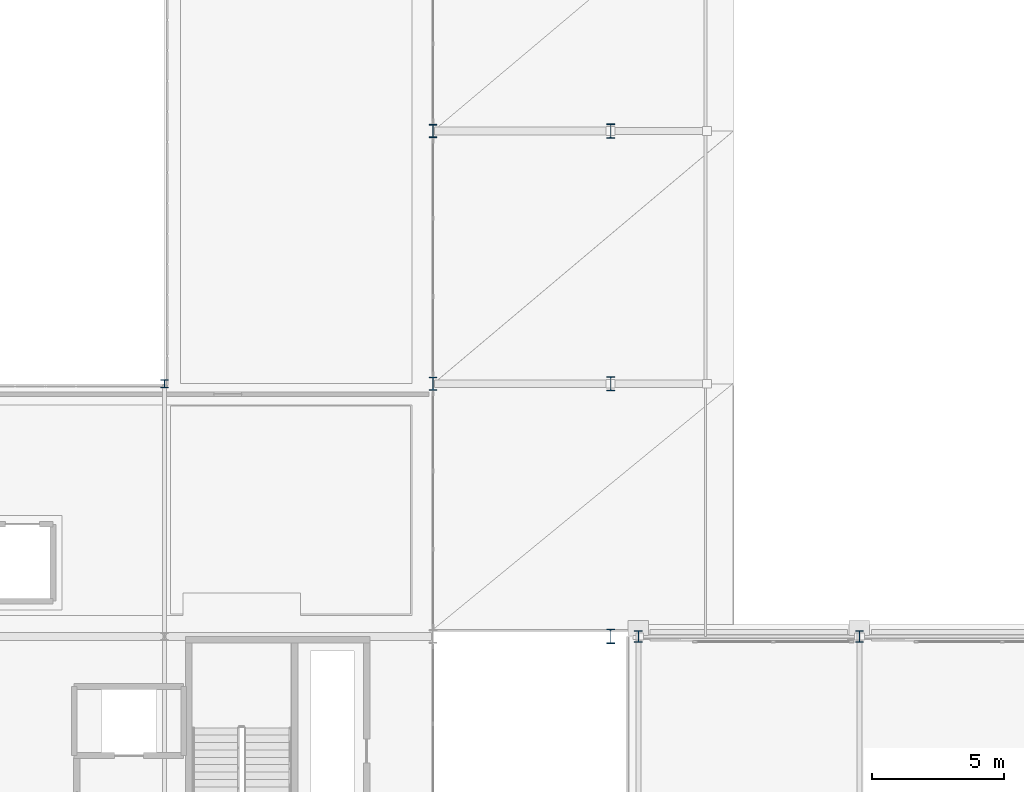
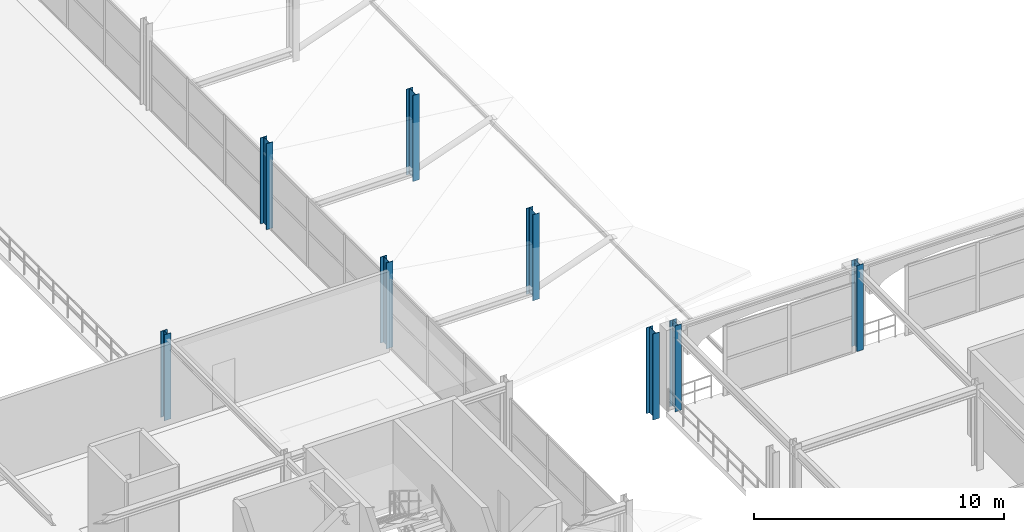
# One storey, part 4 of 81: 8 columns.
"""IFC4 building model written with IfcOpenShell, lengths in metres."""

from ifc_helpers import new_model, si_unit, direction, frame, origin, origin_2d, place, context, subcontext, project, spatial, i_section, extrude, material, material_profile, profile_set, type_object, element, save


model = new_model("IFC4")

# Units and contexts
model_context = context("Model", 3, precision=1e-05, world=origin(), true_north=direction((0.0, 1.0)))
body_context = subcontext(model_context, "Body", "Model", "MODEL_VIEW")
ifc_project = project(units=[si_unit("LENGTHUNIT", "METRE"), si_unit("AREAUNIT", "SQUARE_METRE"), si_unit("VOLUMEUNIT", "CUBIC_METRE"), si_unit("PLANEANGLEUNIT", "RADIAN"), si_unit("MASSUNIT", "GRAM", prefix="KILO")], contexts=[model_context])

# Site, building, storey
site_placement = place(None, origin())
site = spatial("IfcSite", under=ifc_project, at=site_placement, CompositionType="ELEMENT")
building_placement = place(site_placement, origin())
building = spatial("IfcBuilding", under=site, at=building_placement, Name="Myrtia Square Station", CompositionType="ELEMENT")
storey_placement = place(building_placement, frame((0.0, 0.0, 10.800048828125)))
storey = spatial("IfcBuildingStorey", under=building, at=storey_placement, Name="L02", CompositionType="ELEMENT", Elevation=10.800048828125)

# Columns
ifc_material = material(Name="Steel S355", Category="steel")
ifc_material_profile_1 = material_profile(ifc_material, i_section(OverallWidth=0.300048828125, OverallDepth=0.43994140625, WebThickness=0.011474609375, FlangeThickness=0.02099609375, FilletRadius=0.027099609375, at=origin_2d()), Name="HEA 450")
ifc_profile_set_1 = profile_set([ifc_material_profile_1], Name="Steel S355")
column_type_1 = type_object("IfcColumnType", Name="COL-HEA450", PredefinedType="COLUMN", material=ifc_profile_set_1)
for number, where, z_axis, x_axis, name in (
    (1, (117.60009765625, 38.39990234375, 0.0), (0.0, 0.0, 1.0), (1.0, 0.0, 0.0), "Column L02-0582"),
    (2, (126.0, 38.39990234375, 0.0), (0.0, 0.0, 1.0), (1.0, 0.0, 0.0), "Column L02-0607"),
):
    element("IfcColumn", number, at=place(storey_placement, frame(where, z_axis=z_axis, x_axis=x_axis)), inside=storey, type_object=column_type_1, Name=name, PredefinedType="COLUMN", context=body_context, shape_type="SweptSolid", body=[
        extrude(i_section(OverallWidth=0.300048828125, OverallDepth=0.43994140625, WebThickness=0.011474609375, FlangeThickness=0.02099609375, FilletRadius=0.027099609375, at=origin_2d()), origin(), (0.0, 0.0, 1.0), 4.199951171875),
    ])
ifc_material_profile_2 = material_profile(ifc_material, i_section(OverallWidth=0.300048828125, OverallDepth=0.5400390625, WebThickness=0.012451171875, FlangeThickness=0.02392578125, FilletRadius=0.027099609375, at=origin_2d()), Name="HEA 550")
ifc_profile_set_2 = profile_set([ifc_material_profile_2], Name="Steel S355")
column_type_2 = type_object("IfcColumnType", Name="COL-HEA550", PredefinedType="COLUMN", material=ifc_profile_set_2)
for number, where, z_axis, x_axis, name in (
    (3, (116.550048828125, 38.39990234375, 0.0), (0.0, 0.0, 1.0), (1.0, 0.0, 0.0), "Column L02-0271"),
    (4, (116.550048828125, 48.0, 0.0), (0.0, 0.0, 1.0), (1.0, 0.0, 0.0), "Column L02-0293"),
    (5, (116.550048828125, 57.60009765625, 0.0), (0.0, 0.0, 1.0), (1.0, 0.0, 0.0), "Column L02-0315"),
):
    element("IfcColumn", number, at=place(storey_placement, frame(where, z_axis=z_axis, x_axis=x_axis)), inside=storey, type_object=column_type_2, Name=name, PredefinedType="COLUMN", context=body_context, shape_type="SweptSolid", body=[
        extrude(i_section(OverallWidth=0.300048828125, OverallDepth=0.5400390625, WebThickness=0.012451171875, FlangeThickness=0.02392578125, FilletRadius=0.027099609375, at=origin_2d()), origin(), (0.0, 0.0, 1.0), 4.199951171875),
    ])
ifc_material_profile_3 = material_profile(ifc_material, i_section(OverallWidth=0.300048828125, OverallDepth=0.300048828125, WebThickness=0.010986328125, FlangeThickness=0.01904296875, FilletRadius=0.027099609375, at=origin_2d()), Name="HEB 300")
ifc_profile_set_3 = profile_set([ifc_material_profile_3], Name="Steel S355")
column_type_3 = type_object("IfcColumnType", Name="COL-HEB300", PredefinedType="COLUMN", material=ifc_profile_set_3)
column_placement = place(storey_placement, frame((99.60009765625, 48.0, 0.0), z_axis=(0.0, 0.0, 1.0), x_axis=(1.0, 0.0, 0.0)))
element("IfcColumn", 6, at=column_placement, inside=storey, type_object=column_type_3, Name="Column L02-0462", PredefinedType="COLUMN", context=body_context, shape_type="SweptSolid", body=[
    extrude(i_section(OverallWidth=0.300048828125, OverallDepth=0.300048828125, WebThickness=0.010986328125, FlangeThickness=0.01904296875, FilletRadius=0.027099609375, at=origin_2d()), origin(), (0.0, 0.0, 1.0), 4.199951171875),
])
ifc_material_profile_4 = material_profile(ifc_material, i_section(OverallWidth=0.300048828125, OverallDepth=0.5, WebThickness=0.014404296875, FlangeThickness=0.028076171875, FilletRadius=0.027099609375, at=origin_2d()), Name="HEB 500")
ifc_profile_set_4 = profile_set([ifc_material_profile_4], Name="Steel S355")
column_type_4 = type_object("IfcColumnType", Name="COL-HEB500", PredefinedType="COLUMN", material=ifc_profile_set_4)
for number, where, z_axis, x_axis, name in (
    (7, (109.800048828125, 48.0, 0.0), (0.0, 0.0, 1.0), (1.0, 0.0, 0.0), "Column L02-0304"),
    (8, (109.800048828125, 57.60009765625, 0.0), (0.0, 0.0, 1.0), (1.0, 0.0, 0.0), "Column L02-0326"),
):
    element("IfcColumn", number, at=place(storey_placement, frame(where, z_axis=z_axis, x_axis=x_axis)), inside=storey, type_object=column_type_4, Name=name, PredefinedType="COLUMN", context=body_context, shape_type="SweptSolid", body=[
        extrude(i_section(OverallWidth=0.300048828125, OverallDepth=0.5, WebThickness=0.014404296875, FlangeThickness=0.028076171875, FilletRadius=0.027099609375, at=origin_2d()), origin(), (0.0, 0.0, 1.0), 4.199951171875),
    ])

save(model, "model.ifc")
